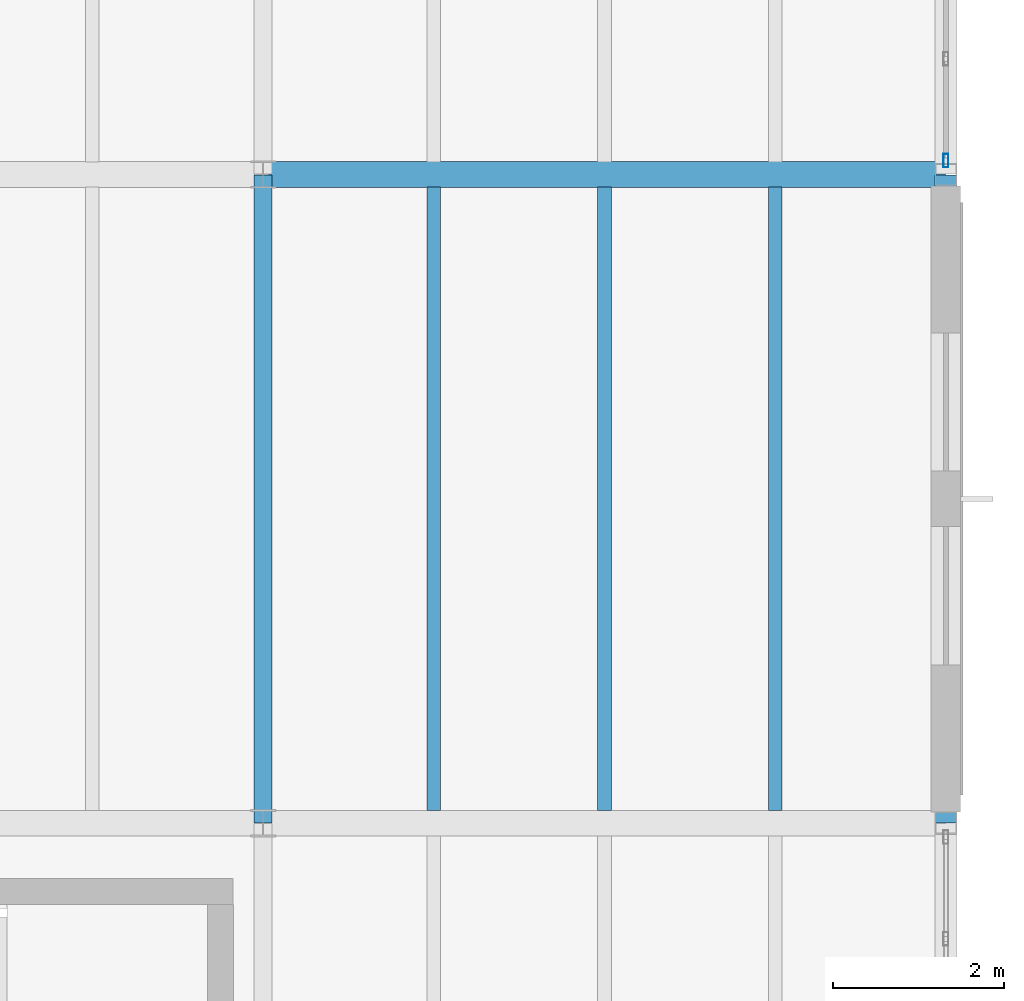
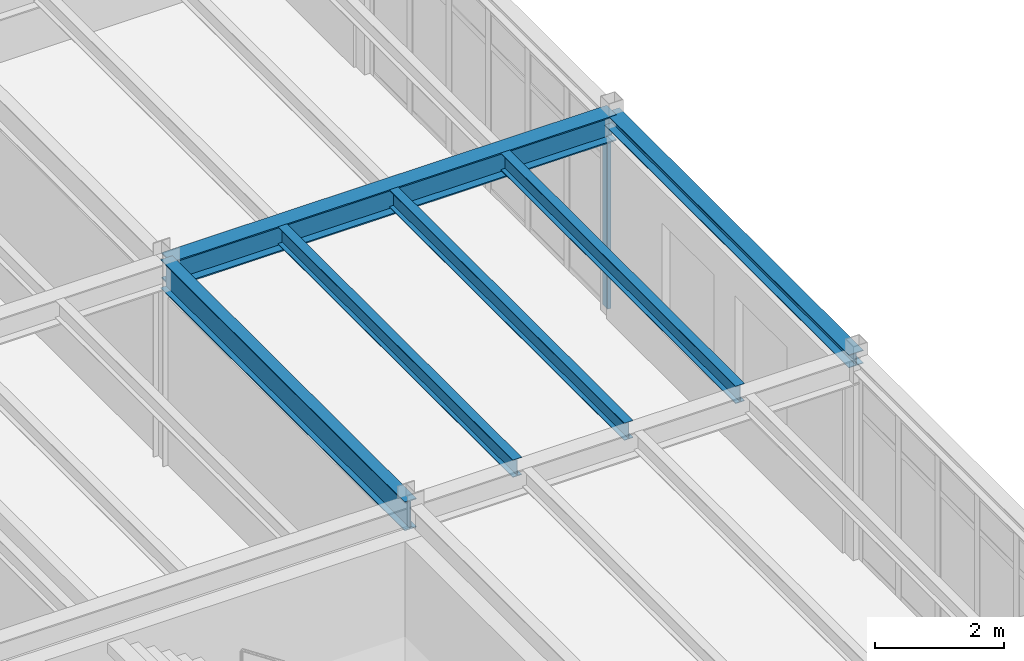
# One storey, part 119 of 189: 6 beams, 1 member, 1 element without a shape of its own.
"""IFC4 building model written with IfcOpenShell, lengths in metres."""

from ifc_helpers import new_model, si_unit, direction, frame, origin, origin_2d, place, context, subcontext, project, spatial, hollow_rectangle, i_section, extrude, material, layer, layer_set, material_profile, profile_set, type_object, element, aggregate, save


model = new_model("IFC4")

# Units and contexts
model_context = context("Model", 3, precision=1e-05, world=origin(), true_north=direction((0.0, 1.0)))
body_context = subcontext(model_context, "Body", "Model", "MODEL_VIEW")
ifc_project = project(units=[si_unit("LENGTHUNIT", "METRE"), si_unit("AREAUNIT", "SQUARE_METRE"), si_unit("VOLUMEUNIT", "CUBIC_METRE"), si_unit("PLANEANGLEUNIT", "RADIAN"), si_unit("MASSUNIT", "GRAM", prefix="KILO")], contexts=[model_context])

# Site, building, storey
site_placement = place(None, origin())
site = spatial("IfcSite", under=ifc_project, at=site_placement, CompositionType="ELEMENT")
building_placement = place(site_placement, origin())
building = spatial("IfcBuilding", under=site, at=building_placement, Name="Montecoro Central Library", CompositionType="ELEMENT")
storey_placement = place(building_placement, frame((0.0, 0.0, 9.179931640625)))
storey = spatial("IfcBuildingStorey", under=building, at=storey_placement, Name="L02", CompositionType="ELEMENT", Elevation=9.179931640625)

# Beams
ifc_material_1 = material(Name="Steel S355J2", Category="steel")
ifc_material_profile_1 = material_profile(ifc_material_1, i_section(OverallWidth=0.300048828125, OverallDepth=0.489990234375, WebThickness=0.011962890625, FlangeThickness=0.02294921875, at=origin_2d()), Name="HEA 500")
ifc_profile_set_1 = profile_set([ifc_material_profile_1], Name="Steel S355J2")
beam_type_1 = type_object("IfcBeamType", Name="BM-G-HEA500", PredefinedType="USERDEFINED", material=ifc_profile_set_1)
beam_1_placement = place(storey_placement, frame((165.0048828125, 20.199951171875, 3.580078125), z_axis=(1.0, 0.0, 0.0), x_axis=(0.0, 1.0, 0.0)))
element("IfcBeam", 1, at=beam_1_placement, inside=storey, type_object=beam_type_1, Name="V6-L02-BX-2122-C", ObjectType="GIRDER", PredefinedType="USERDEFINED", context=body_context, shape_type="SweptSolid", body=[
    extrude(i_section(OverallWidth=0.300048828125, OverallDepth=0.489990234375, WebThickness=0.011962890625, FlangeThickness=0.02294921875, at=origin_2d()), origin(), (0.0, 0.0, 1.0), 7.990234375),
])
ifc_material_profile_2 = material_profile(ifc_material_1, i_section(OverallWidth=0.2099609375, OverallDepth=0.550048828125, WebThickness=0.010986328125, FlangeThickness=0.01708984375, at=origin_2d()), Name="IPE 550")
ifc_profile_set_2 = profile_set([ifc_material_profile_2], Name="Steel S355J2")
beam_type_2 = type_object("IfcBeamType", Name="BM-G-IPE550", PredefinedType="USERDEFINED", material=ifc_profile_set_2)
beam_2_placement = place(storey_placement, frame((165.0, 12.60498046875, 3.550048828125), z_axis=(0.0, 1.0, 0.0), x_axis=(-1.0, 0.0, 0.0)))
element("IfcBeam", 2, at=beam_2_placement, inside=storey, type_object=beam_type_2, Name="V6-L02-BY-21-BC", ObjectType="GIRDER", PredefinedType="USERDEFINED", context=body_context, shape_type="SweptSolid", body=[
    extrude(i_section(OverallWidth=0.2099609375, OverallDepth=0.550048828125, WebThickness=0.010986328125, FlangeThickness=0.01708984375, at=origin_2d()), origin(), (0.0, 0.0, 1.0), 7.590087890625),
])
ifc_material_2 = material(Name="Steel S355", Category="steel")
ifc_material_profile_3 = material_profile(ifc_material_2, i_section(OverallWidth=0.159912109375, OverallDepth=0.330078125, WebThickness=0.007568359375, FlangeThickness=0.011474609375, at=origin_2d()), Name="IPE 330")
ifc_profile_set_3 = profile_set([ifc_material_profile_3], Name="Steel S355")
beam_type_3 = type_object("IfcBeamType", Name="BM-J-IPE330", PredefinedType="JOIST", material=ifc_profile_set_3)
for number, where, z_axis, x_axis, name in (
    (3, (167.0, 12.7470703125, 3.66015625), (0.0, 1.0, 0.0), (-1.0, 0.0, 0.0), "V6-L02-JS-2122-BC-1"),
    (4, (169.0, 12.7470703125, 3.66015625), (0.0, 1.0, 0.0), (-1.0, 0.0, 0.0), "V6-L02-JS-2122-BC-2"),
    (5, (171.0, 12.7470703125, 3.66015625), (0.0, 1.0, 0.0), (-1.0, 0.0, 0.0), "V6-L02-JS-2122-BC-3"),
):
    element("IfcBeam", number, at=place(storey_placement, frame(where, z_axis=z_axis, x_axis=x_axis)), inside=storey, type_object=beam_type_3, Name=name, PredefinedType="JOIST", context=body_context, shape_type="SweptSolid", body=[
        extrude(i_section(OverallWidth=0.159912109375, OverallDepth=0.330078125, WebThickness=0.007568359375, FlangeThickness=0.011474609375, at=origin_2d()), origin(), (0.0, 0.0, 1.0), 7.305908203125),
    ])
ifc_material_profile_4 = material_profile(ifc_material_2, i_section(OverallWidth=0.260009765625, OverallDepth=0.25, WebThickness=0.007568359375, FlangeThickness=0.012451171875, at=origin_2d()), Name="HEA 260")
ifc_profile_set_4 = profile_set([ifc_material_profile_4], Name="Steel S355")
beam_type_4 = type_object("IfcBeamType", Name="BM-SP-HEA260", PredefinedType="SPANDREL", material=ifc_profile_set_4)
beam_3_placement = place(storey_placement, frame((173.0, 12.60498046875, 3.699951171875), z_axis=(0.0, 1.0, 0.0), x_axis=(-1.0, 0.0, 0.0)))
element("IfcBeam", 6, at=beam_3_placement, inside=storey, type_object=beam_type_4, Name="V6-L02-BY-22-BC", PredefinedType="SPANDREL", context=body_context, shape_type="SweptSolid", body=[
    extrude(i_section(OverallWidth=0.260009765625, OverallDepth=0.25, WebThickness=0.007568359375, FlangeThickness=0.012451171875, at=origin_2d()), origin(), (0.0, 0.0, 1.0), 7.590087890625),
])

# Curtain wall, member
ifc_material_3 = material(Name="Bronze-anodised aluminium and low-E glazing", Category="aluminium")
ifc_layer = layer(ifc_material_3, 0.159912109375)
ifc_layer_set = layer_set([ifc_layer], Name="Bronze-anodised aluminium and low-E glazing")
curtain_wall_type = type_object("IfcCurtainWallType", Name="CWT-065", PredefinedType="NOTDEFINED", material=ifc_layer_set)
curtain_wall_placement = place(storey_placement, origin())
curtain_wall = element("IfcCurtainWall", 7, at=curtain_wall_placement, inside=storey, type_object=curtain_wall_type, Name="V6-L02-CW-E2", PredefinedType="NOTDEFINED")
ifc_material_4 = material(Name="Bronze-anodised aluminium", Category="aluminium")
ifc_material_profile_5 = material_profile(ifc_material_4, hollow_rectangle(XDim=0.06005859375, YDim=0.159912109375, WallThickness=0.00390625, at=origin_2d()), Name="CWM 160x60x4.0")
ifc_profile_set_5 = profile_set([ifc_material_profile_5], Name="Bronze-anodised aluminium")
member_type = type_object("IfcMemberType", Name="CWM-BRZ-60", PredefinedType="MULLION", material=ifc_profile_set_5)
member_placement = place(storey_placement, frame((173.0, 20.363037109375, 0.0), z_axis=(0.0, 0.0, 1.0), x_axis=(-1.0, 0.0, 0.0)))
member = element("IfcMember", 8, at=member_placement, type_object=member_type, Name="CW-065 mullion 1", PredefinedType="MULLION", context=body_context, shape_type="SweptSolid", body=[
    extrude(hollow_rectangle(XDim=0.06005859375, YDim=0.159912109375, WallThickness=0.00390625, at=origin_2d()), origin(), (0.0, 0.0, 1.0), 3.47998046875),
])
aggregate(curtain_wall, [member])

save(model, "model.ifc")
